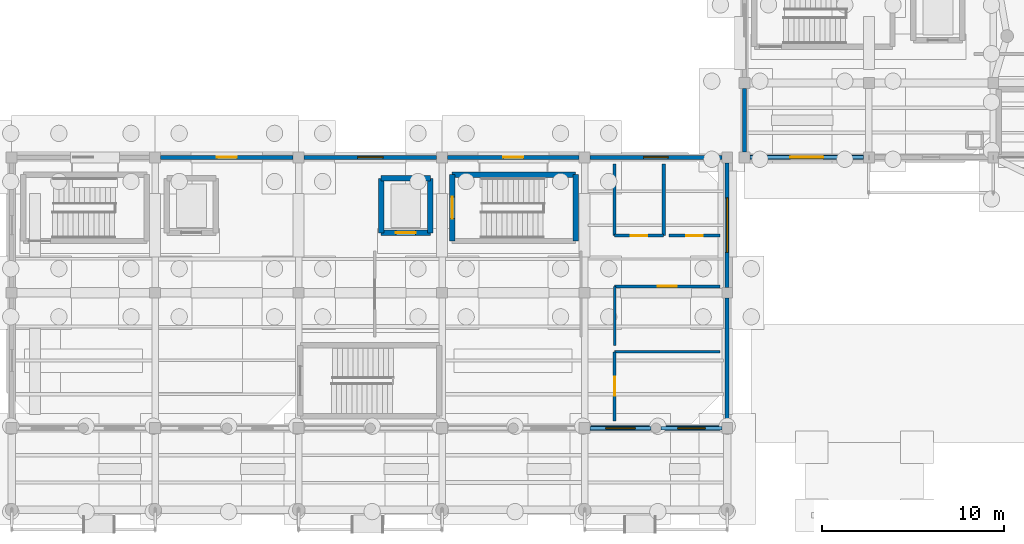
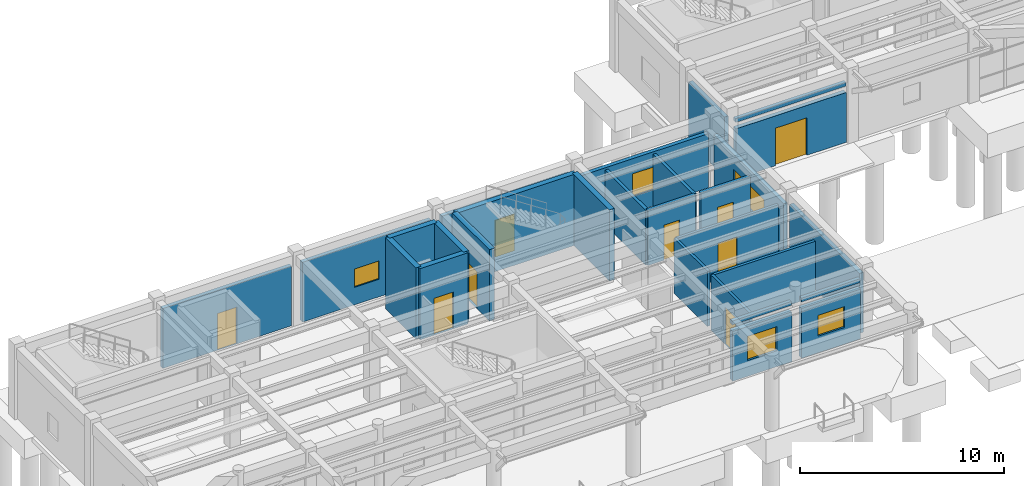
# One storey, part 28 of 41: 28 walls, 9 doors, 5 windows, 14 openings.
"""IFC4 building model written with IfcOpenShell, lengths in metres."""

from ifc_helpers import new_model, si_unit, direction, frame, frame_2d, origin, place, context, subcontext, project, spatial, rectangle, extrude, material, layer, layer_set, type_object, element, fill, save


model = new_model("IFC4")

# Units and contexts
model_context = context("Model", 3, precision=1e-05, world=origin(), true_north=direction((0.0, 1.0)))
body_context = subcontext(model_context, "Body", "Model", "MODEL_VIEW")
ifc_project = project(units=[si_unit("LENGTHUNIT", "METRE"), si_unit("AREAUNIT", "SQUARE_METRE"), si_unit("VOLUMEUNIT", "CUBIC_METRE"), si_unit("PLANEANGLEUNIT", "RADIAN"), si_unit("MASSUNIT", "GRAM", prefix="KILO")], contexts=[model_context])

# Site, building, storey
site_placement = place(None, origin())
site = spatial("IfcSite", under=ifc_project, at=site_placement, CompositionType="ELEMENT")
building_placement = place(site_placement, origin())
building = spatial("IfcBuilding", under=site, at=building_placement, Name="Candilejo Ridge Gondola Terminal", CompositionType="ELEMENT")
storey_placement = place(building_placement, origin())
storey = spatial("IfcBuildingStorey", under=building, at=storey_placement, Name="L00", CompositionType="ELEMENT", Elevation=0.0)

# Walls
ifc_material_1 = material(Name="Concrete C20/25 masonry blockwork (f'm 14 MPa)", Category="masonry")
ifc_layer_1 = layer(ifc_material_1, 0.195068359375)
ifc_layer_set_1 = layer_set([ifc_layer_1], Name="ARC-EXT-WALL-195")
wall_type_1 = type_object("IfcWallType", Name="ARC-EXT-WALL-195", PredefinedType="STANDARD", material=ifc_layer_set_1)
wall_1_placement = place(storey_placement, frame((39.5, 10.800048828125, 3.35009765625), z_axis=(0.0, 0.0, 1.0), x_axis=(-1.0, 0.0, 0.0)))
element("IfcWall", 1, at=wall_1_placement, inside=storey, type_object=wall_type_1, Name="Upper lintel spandrel wall V1 L00-023", PredefinedType="STANDARD", context=body_context, shape_type="SweptSolid", body=[
    extrude(rectangle(XDim=3.35009765625, YDim=0.195068359375, at=frame_2d((1.675048828125, 0.0))), origin(), (0.0, 0.0, 1.0), 0.22998046875),
])
wall_2_placement = place(storey_placement, frame((43.39990234375, 10.800048828125, 3.35009765625), z_axis=(0.0, 0.0, 1.0), x_axis=(-1.0, 0.0, 0.0)))
element("IfcWall", 2, at=wall_2_placement, inside=storey, type_object=wall_type_1, Name="Upper lintel spandrel wall V1 L00-025", PredefinedType="STANDARD", context=body_context, shape_type="SweptSolid", body=[
    extrude(rectangle(XDim=3.33984375, YDim=0.195068359375, at=frame_2d((1.669921875, 0.0))), origin(), (0.0, 0.0, 1.0), 0.22998046875),
])
wall_3_placement = place(storey_placement, frame((51.199951171875, 25.699951171875, 3.35009765625), z_axis=(0.0, 0.0, 1.0), x_axis=(-1.0, 0.0, 0.0)))
element("IfcWall", 3, at=wall_3_placement, inside=storey, type_object=wall_type_1, Name="Upper lintel spandrel wall V2 L00-032", PredefinedType="STANDARD", context=body_context, shape_type="SweptSolid", body=[
    extrude(rectangle(XDim=6.25, YDim=0.195068359375, at=frame_2d((3.125, 0.0))), origin(), (0.0, 0.0, 1.0), 0.22998046875),
])

# Wall, opening, door
ifc_material_2 = material(Name="Concrete C20/25 masonry blockwork (f'm 14 MPa)", Category="masonry")
ifc_layer_2 = layer(ifc_material_2, 0.219970703125)
ifc_layer_set_2 = layer_set([ifc_layer_2], Name="ARC-EXT-WALL-220")
wall_type_2 = type_object("IfcWallType", Name="ARC-EXT-WALL-220", PredefinedType="STANDARD", material=ifc_layer_set_2)
wall_4_placement = place(storey_placement, frame((12.5, 25.699951171875, 0.0), z_axis=(0.0, 0.0, 1.0), x_axis=(1.0, 0.0, 0.0)))
wall_4 = element("IfcWall", 4, at=wall_4_placement, inside=storey, type_object=wall_type_2, Name="Exterior facade wall EW-V1-L00-011", PredefinedType="STANDARD", context=body_context, shape_type="SweptSolid", body=[
    extrude(rectangle(XDim=7.300048828125, YDim=0.219970703125, at=frame_2d((3.64990234375, 0.0))), origin(), (0.0, 0.0, 1.0), 3.580078125),
])
opening_1_placement = place(wall_4_placement, frame((3.10009765625, 0.0, 0.0)))
opening_1 = element("IfcOpeningElement", 5, at=opening_1_placement, cuts=wall_4, Name="Opening ED-03", PredefinedType="OPENING", context=body_context, shape_type="SweptSolid", body=[
    extrude(rectangle(XDim=1.10009765625, YDim=2.199951171875, at=frame_2d((0.550048828125, 1.10009765625))), frame((0.0, 0.119873046875, 0.0), z_axis=(0.0, -1.0, 0.0), x_axis=(1.0, 0.0, 0.0)), (0.0, 0.0, 1.0), 0.239990234375),
])
ifc_material_3 = material(Name="Anodised aluminium AA 6063-T6", Category="aluminium")
door_type_1 = type_object("IfcDoorType", Name="ARC-DOOR-EXT-SGL-1100", OperationType="NOTDEFINED", PredefinedType="DOOR", material=ifc_material_3)
door_1_placement = place(opening_1_placement, origin())
door_1 = element("IfcDoor", 6, at=door_1_placement, inside=storey, type_object=door_type_1, Name="Exterior door EDR-002", OperationType="SINGLE_SWING_RIGHT", OverallHeight=2.199951171875, OverallWidth=1.10009765625, PredefinedType="DOOR", context=body_context, shape_type="SweptSolid", body=[
    extrude(rectangle(XDim=1.10009765625, YDim=2.199951171875, at=frame_2d((0.550048828125, 1.10009765625))), frame((0.0, 0.02490234375, 0.0), z_axis=(0.0, -1.0, 0.0), x_axis=(1.0, 0.0, 0.0)), (0.0, 0.0, 1.0), 0.050048828125),
])
fill(opening_1, door_1)

# Wall, opening, window
wall_5_placement = place(storey_placement, frame((20.39990234375, 25.699951171875, 0.0), z_axis=(0.0, 0.0, 1.0), x_axis=(1.0, 0.0, 0.0)))
wall_5 = element("IfcWall", 7, at=wall_5_placement, inside=storey, type_object=wall_type_2, Name="Exterior facade wall EW-V1-L00-016", PredefinedType="STANDARD", context=body_context, shape_type="SweptSolid", body=[
    extrude(rectangle(XDim=7.300048828125, YDim=0.219970703125, at=frame_2d((3.64990234375, 0.0))), origin(), (0.0, 0.0, 1.0), 3.580078125),
])
opening_2_placement = place(wall_5_placement, frame((2.949951171875, 0.0, 1.050048828125)))
opening_2 = element("IfcOpeningElement", 8, at=opening_2_placement, cuts=wall_5, Name="Opening WN-05E", PredefinedType="OPENING", context=body_context, shape_type="SweptSolid", body=[
    extrude(rectangle(XDim=1.39990234375, YDim=1.10009765625, at=frame_2d((0.699951171875, 0.550048828125))), frame((0.0, 0.119873046875, 0.0), z_axis=(0.0, -1.0, 0.0), x_axis=(1.0, 0.0, 0.0)), (0.0, 0.0, 1.0), 0.239990234375),
])
ifc_material_4 = material(Name="Low-E laminated double glazing 6+12A+6+1.52PVB+6 mm", Category="glass")
window_type_1 = type_object("IfcWindowType", Name="ARC-WIN-1400X1100", PartitioningType="SINGLE_PANEL", PredefinedType="WINDOW", material=ifc_material_4)
window_1_placement = place(opening_2_placement, origin())
window_1 = element("IfcWindow", 9, at=window_1_placement, inside=storey, type_object=window_type_1, Name="Window WIN-005", OverallHeight=1.10009765625, OverallWidth=1.39990234375, PartitioningType="SINGLE_PANEL", PredefinedType="WINDOW", context=body_context, shape_type="SweptSolid", body=[
    extrude(rectangle(XDim=1.39990234375, YDim=1.10009765625, at=frame_2d((0.699951171875, 0.550048828125))), frame((0.0, 0.030029296875, 0.0), z_axis=(0.0, -1.0, 0.0), x_axis=(1.0, 0.0, 0.0)), (0.0, 0.0, 1.0), 0.06005859375),
])
fill(opening_2, window_1)

# Wall, opening, door
wall_6_placement = place(storey_placement, frame((28.300048828125, 25.699951171875, 0.0), z_axis=(0.0, 0.0, 1.0), x_axis=(1.0, 0.0, 0.0)))
wall_6 = element("IfcWall", 10, at=wall_6_placement, inside=storey, type_object=wall_type_2, Name="Exterior facade wall EW-V1-L00-021", PredefinedType="STANDARD", context=body_context, shape_type="SweptSolid", body=[
    extrude(rectangle(XDim=7.25, YDim=0.219970703125, at=frame_2d((3.625, 0.0))), origin(), (0.0, 0.0, 1.0), 3.580078125),
])
opening_3_placement = place(wall_6_placement, frame((3.074951171875, 0.0, 0.0)))
opening_3 = element("IfcOpeningElement", 11, at=opening_3_placement, cuts=wall_6, Name="Opening ED-03", PredefinedType="OPENING", context=body_context, shape_type="SweptSolid", body=[
    extrude(rectangle(XDim=1.10009765625, YDim=2.199951171875, at=frame_2d((0.550048828125, 1.10009765625))), frame((0.0, 0.119873046875, 0.0), z_axis=(0.0, -1.0, 0.0), x_axis=(1.0, 0.0, 0.0)), (0.0, 0.0, 1.0), 0.239990234375),
])
door_2_placement = place(opening_3_placement, origin())
door_2 = element("IfcDoor", 12, at=door_2_placement, inside=storey, type_object=door_type_1, Name="Exterior door EDR-003", OperationType="SINGLE_SWING_LEFT", OverallHeight=2.199951171875, OverallWidth=1.10009765625, PredefinedType="DOOR", context=body_context, shape_type="SweptSolid", body=[
    extrude(rectangle(XDim=1.10009765625, YDim=2.199951171875, at=frame_2d((0.550048828125, 1.10009765625))), frame((0.0, 0.02490234375, 0.0), z_axis=(0.0, -1.0, 0.0), x_axis=(1.0, 0.0, 0.0)), (0.0, 0.0, 1.0), 0.050048828125),
])
fill(opening_3, door_2)

# Wall, opening, window
wall_7_placement = place(storey_placement, frame((36.14990234375, 25.699951171875, 0.0), z_axis=(0.0, 0.0, 1.0), x_axis=(1.0, 0.0, 0.0)))
wall_7 = element("IfcWall", 13, at=wall_7_placement, inside=storey, type_object=wall_type_2, Name="Exterior facade wall EW-V1-L00-026", PredefinedType="STANDARD", context=body_context, shape_type="SweptSolid", body=[
    extrude(rectangle(XDim=7.25, YDim=0.219970703125, at=frame_2d((3.625, 0.0))), origin(), (0.0, 0.0, 1.0), 3.239990234375),
])
opening_4_placement = place(wall_7_placement, frame((2.949951171875, 0.0, 0.97998046875)))
opening_4 = element("IfcOpeningElement", 14, at=opening_4_placement, cuts=wall_7, Name="Opening WN-03C", PredefinedType="OPENING", context=body_context, shape_type="SweptSolid", body=[
    extrude(rectangle(XDim=1.35009765625, YDim=1.35009765625, at=frame_2d((0.675048828125, 0.675048828125))), frame((0.0, 0.119873046875, 0.0), z_axis=(0.0, -1.0, 0.0), x_axis=(1.0, 0.0, 0.0)), (0.0, 0.0, 1.0), 0.239990234375),
])
ifc_material_5 = material(Name="Low-E laminated double glazing 6+12A+6+1.52PVB+6 mm", Category="glass")
window_type_2 = type_object("IfcWindowType", Name="ARC-WIN-1350X1350", PartitioningType="SINGLE_PANEL", PredefinedType="WINDOW", material=ifc_material_5)
window_2_placement = place(opening_4_placement, origin())
window_2 = element("IfcWindow", 15, at=window_2_placement, inside=storey, type_object=window_type_2, Name="Window WIN-009", OverallHeight=1.35009765625, OverallWidth=1.35009765625, PartitioningType="SINGLE_PANEL", PredefinedType="WINDOW", context=body_context, shape_type="SweptSolid", body=[
    extrude(rectangle(XDim=1.35009765625, YDim=1.35009765625, at=frame_2d((0.675048828125, 0.675048828125))), frame((0.0, 0.030029296875, 0.0), z_axis=(0.0, -1.0, 0.0), x_axis=(1.0, 0.0, 0.0)), (0.0, 0.0, 1.0), 0.06005859375),
])
fill(opening_4, window_2)

# Wall
wall_8_placement = place(storey_placement, frame((43.699951171875, 17.949951171875, 0.0), z_axis=(0.0, 0.0, 1.0), x_axis=(0.0, -1.0, 0.0)))
element("IfcWall", 16, at=wall_8_placement, inside=storey, type_object=wall_type_2, Name="Exterior facade wall EW-V1-L00-028", PredefinedType="STANDARD", context=body_context, shape_type="SweptSolid", body=[
    extrude(rectangle(XDim=6.849853515625, YDim=0.219970703125, at=frame_2d((3.4248046875, 0.0))), origin(), (0.0, 0.0, 1.0), 3.580078125),
])

# Wall, opening, window
wall_9_placement = place(storey_placement, frame((43.699951171875, 25.39990234375, 0.0), z_axis=(0.0, 0.0, 1.0), x_axis=(0.0, -1.0, 0.0)))
wall_9 = element("IfcWall", 17, at=wall_9_placement, inside=storey, type_object=wall_type_2, Name="Exterior facade wall EW-V1-L00-030", PredefinedType="STANDARD", context=body_context, shape_type="SweptSolid", body=[
    extrude(rectangle(XDim=6.849853515625, YDim=0.219970703125, at=frame_2d((3.4248046875, 0.0))), origin(), (0.0, 0.0, 1.0), 3.239990234375),
])
opening_5_placement = place(wall_9_placement, frame((1.925048828125, 0.0, 0.8798828125)))
opening_5 = element("IfcOpeningElement", 18, at=opening_5_placement, cuts=wall_9, Name="Opening WN-05", PredefinedType="OPENING", context=body_context, shape_type="SweptSolid", body=[
    extrude(rectangle(XDim=3.0, YDim=1.449951171875, at=frame_2d((1.5, 0.72509765625))), frame((0.0, 0.119873046875, 0.0), z_axis=(0.0, -1.0, 0.0), x_axis=(1.0, 0.0, 0.0)), (0.0, 0.0, 1.0), 0.239990234375),
])
ifc_material_6 = material(Name="Low-E laminated double glazing 6+12A+6+1.52PVB+6 mm", Category="glass")
window_type_3 = type_object("IfcWindowType", Name="ARC-WIN-3000X1650", PartitioningType="SINGLE_PANEL", PredefinedType="WINDOW", material=ifc_material_6)
window_3_placement = place(opening_5_placement, origin())
window_3 = element("IfcWindow", 19, at=window_3_placement, inside=storey, type_object=window_type_3, Name="Window WIN-012", OverallHeight=1.449951171875, OverallWidth=3.0, PartitioningType="SINGLE_PANEL", PredefinedType="WINDOW", context=body_context, shape_type="SweptSolid", body=[
    extrude(rectangle(XDim=3.0, YDim=1.449951171875, at=frame_2d((1.5, 0.72509765625))), frame((0.0, 0.030029296875, 0.0), z_axis=(0.0, -1.0, 0.0), x_axis=(1.0, 0.0, 0.0)), (0.0, 0.0, 1.0), 0.06005859375),
])
fill(opening_5, window_3)

# Wall
wall_10_placement = place(storey_placement, frame((44.64990234375, 26.0, 0.0), z_axis=(0.0, 0.0, 1.0), x_axis=(0.0, 1.0, 0.0)))
element("IfcWall", 20, at=wall_10_placement, inside=storey, type_object=wall_type_2, Name="Exterior facade wall EW-V2-L00-037", PredefinedType="STANDARD", context=body_context, shape_type="SweptSolid", body=[
    extrude(rectangle(XDim=3.5, YDim=0.219970703125, at=frame_2d((1.75, 0.0))), origin(), (0.0, 0.0, 1.0), 3.580078125),
])

# Wall, opening, door
ifc_material_7 = material(Name="Cream Guayaquil limestone ashlar masonry (f'm 14 MPa)", Category="masonry")
ifc_layer_3 = layer(ifc_material_7, 0.25)
ifc_layer_set_3 = layer_set([ifc_layer_3], Name="ARC-EXT-WALL-250")
wall_type_3 = type_object("IfcWallType", Name="ARC-EXT-WALL-250", PredefinedType="STANDARD", material=ifc_layer_set_3)
wall_11_placement = place(storey_placement, frame((51.199951171875, 25.699951171875, 0.0), z_axis=(0.0, 0.0, 1.0), x_axis=(-1.0, 0.0, 0.0)))
wall_11 = element("IfcWall", 21, at=wall_11_placement, inside=storey, type_object=wall_type_3, Name="Exterior facade wall EW-V2-L00-031", PredefinedType="STANDARD", context=body_context, shape_type="SweptSolid", body=[
    extrude(rectangle(XDim=6.25, YDim=0.25, at=frame_2d((3.125, 0.0))), origin(), (0.0, 0.0, 1.0), 2.985107421875),
])
opening_6_placement = place(wall_11_placement, frame((2.22509765625, 0.0, 0.0)))
opening_6 = element("IfcOpeningElement", 22, at=opening_6_placement, cuts=wall_11, Name="Opening ED-02", PredefinedType="OPENING", context=body_context, shape_type="SweptSolid", body=[
    extrude(rectangle(XDim=1.800048828125, YDim=2.25, at=frame_2d((0.89990234375, 1.125))), frame((0.0, 0.135009765625, 0.0), z_axis=(0.0, -1.0, 0.0), x_axis=(1.0, 0.0, 0.0)), (0.0, 0.0, 1.0), 0.27001953125),
])
ifc_material_8 = material(Name="Anodised aluminium AA 6063-T6", Category="aluminium")
door_type_2 = type_object("IfcDoorType", Name="ARC-DOOR-EXT-DBL-1800", OperationType="NOTDEFINED", PredefinedType="DOOR", material=ifc_material_8)
door_3_placement = place(opening_6_placement, origin())
door_3 = element("IfcDoor", 23, at=door_3_placement, inside=storey, type_object=door_type_2, Name="Exterior door EDR-004", OperationType="DOUBLE_DOOR_SINGLE_SWING", OverallHeight=2.25, OverallWidth=1.800048828125, PredefinedType="DOOR", context=body_context, shape_type="SweptSolid", body=[
    extrude(rectangle(XDim=1.800048828125, YDim=2.25, at=frame_2d((0.89990234375, 1.125))), frame((0.0, 0.02490234375, 0.0), z_axis=(0.0, -1.0, 0.0), x_axis=(1.0, 0.0, 0.0)), (0.0, 0.0, 1.0), 0.050048828125),
])
fill(opening_6, door_3)

# Wall, opening, window
ifc_material_9 = material(Name="Cream Guayaquil limestone ashlar masonry (f'm 14 MPa)", Category="masonry")
ifc_layer_4 = layer(ifc_material_9, 0.264892578125)
ifc_layer_set_4 = layer_set([ifc_layer_4], Name="ARC-EXT-WALL-265")
wall_type_4 = type_object("IfcWallType", Name="ARC-EXT-WALL-265", PredefinedType="STANDARD", material=ifc_layer_set_4)
wall_12_placement = place(storey_placement, frame((43.39990234375, 10.800048828125, 0.0), z_axis=(0.0, 0.0, 1.0), x_axis=(-1.0, 0.0, 0.0)))
wall_12 = element("IfcWall", 24, at=wall_12_placement, inside=storey, type_object=wall_type_4, Name="Exterior facade wall EW-V1-L00-024", PredefinedType="STANDARD", context=body_context, shape_type="SweptSolid", body=[
    extrude(rectangle(XDim=3.33984375, YDim=0.264892578125, at=frame_2d((1.669921875, 0.0))), origin(), (0.0, 0.0, 1.0), 2.985107421875),
])
opening_7_placement = place(wall_12_placement, frame((0.919921875, 0.0, 1.0)))
opening_7 = element("IfcOpeningElement", 25, at=opening_7_placement, cuts=wall_12, Name="Opening WN-03B", PredefinedType="OPENING", context=body_context, shape_type="SweptSolid", body=[
    extrude(rectangle(XDim=1.5, YDim=1.25, at=frame_2d((0.75, 0.625))), frame((0.0, 0.142333984375, 0.0), z_axis=(0.0, -1.0, 0.0), x_axis=(1.0, 0.0, 0.0)), (0.0, 0.0, 1.0), 0.284912109375),
])
ifc_material_10 = material(Name="Low-E laminated double glazing 6+12A+6+1.52PVB+6 mm", Category="glass")
window_type_4 = type_object("IfcWindowType", Name="ARC-WIN-1500X1250", PartitioningType="SINGLE_PANEL", PredefinedType="WINDOW", material=ifc_material_10)
window_4_placement = place(opening_7_placement, origin())
window_4 = element("IfcWindow", 26, at=window_4_placement, inside=storey, type_object=window_type_4, Name="Window WIN-008", OverallHeight=1.25, OverallWidth=1.5, PartitioningType="SINGLE_PANEL", PredefinedType="WINDOW", context=body_context, shape_type="SweptSolid", body=[
    extrude(rectangle(XDim=1.5, YDim=1.25, at=frame_2d((0.75, 0.625))), frame((0.0, 0.030029296875, 0.0), z_axis=(0.0, -1.0, 0.0), x_axis=(1.0, 0.0, 0.0)), (0.0, 0.0, 1.0), 0.06005859375),
])
fill(opening_7, window_4)

ifc_material_11 = material(Name="Cream Guayaquil limestone ashlar masonry (f'm 14 MPa)", Category="masonry")
ifc_layer_5 = layer(ifc_material_11, 0.280029296875)
ifc_layer_set_5 = layer_set([ifc_layer_5], Name="ARC-EXT-WALL-280")
wall_type_5 = type_object("IfcWallType", Name="ARC-EXT-WALL-280", PredefinedType="STANDARD", material=ifc_layer_set_5)
wall_13_placement = place(storey_placement, frame((39.5, 10.800048828125, 0.0), z_axis=(0.0, 0.0, 1.0), x_axis=(-1.0, 0.0, 0.0)))
wall_13 = element("IfcWall", 27, at=wall_13_placement, inside=storey, type_object=wall_type_5, Name="Exterior facade wall EW-V1-L00-022", PredefinedType="STANDARD", context=body_context, shape_type="SweptSolid", body=[
    extrude(rectangle(XDim=3.35009765625, YDim=0.280029296875, at=frame_2d((1.675048828125, 0.0))), origin(), (0.0, 0.0, 1.0), 2.985107421875),
])
opening_8_placement = place(wall_13_placement, frame((0.85009765625, 0.0, 0.949951171875)))
opening_8 = element("IfcOpeningElement", 28, at=opening_8_placement, cuts=wall_13, Name="Opening WN-02C", PredefinedType="OPENING", context=body_context, shape_type="SweptSolid", body=[
    extrude(rectangle(XDim=1.64990234375, YDim=1.449951171875, at=frame_2d((0.824951171875, 0.72509765625))), frame((0.0, 0.14990234375, 0.0), z_axis=(0.0, -1.0, 0.0), x_axis=(1.0, 0.0, 0.0)), (0.0, 0.0, 1.0), 0.300048828125),
])
ifc_material_12 = material(Name="Low-E laminated double glazing 6+12A+6+1.52PVB+6 mm", Category="glass")
window_type_5 = type_object("IfcWindowType", Name="ARC-WIN-1650X1450", PartitioningType="SINGLE_PANEL", PredefinedType="WINDOW", material=ifc_material_12)
window_5_placement = place(opening_8_placement, origin())
window_5 = element("IfcWindow", 29, at=window_5_placement, inside=storey, type_object=window_type_5, Name="Window WIN-007", OverallHeight=1.449951171875, OverallWidth=1.64990234375, PartitioningType="SINGLE_PANEL", PredefinedType="WINDOW", context=body_context, shape_type="SweptSolid", body=[
    extrude(rectangle(XDim=1.64990234375, YDim=1.449951171875, at=frame_2d((0.824951171875, 0.72509765625))), frame((0.0, 0.030029296875, 0.0), z_axis=(0.0, -1.0, 0.0), x_axis=(1.0, 0.0, 0.0)), (0.0, 0.0, 1.0), 0.06005859375),
])
fill(opening_8, window_5)

# Wall, opening, door
ifc_material_13 = material(Name="Gypsum board Type X acoustic partition (2x15.9 mm)", Category="gypsum")
ifc_layer_6 = layer(ifc_material_13, 0.14990234375)
ifc_layer_set_6 = layer_set([ifc_layer_6], Name="ARC-PART-GYP150-EI60")
wall_type_6 = type_object("IfcWallType", Name="ARC-PART-GYP150-EI60", PredefinedType="PARTITIONING", material=ifc_layer_set_6)
wall_14_placement = place(storey_placement, frame((37.5, 18.60009765625, 0.0), z_axis=(0.0, 0.0, 1.0), x_axis=(1.0, 0.0, 0.0)))
wall_14 = element("IfcWall", 30, at=wall_14_placement, inside=storey, type_object=wall_type_6, Name="Interior partition PT-V1-L00-0005", PredefinedType="PARTITIONING", context=body_context, shape_type="SweptSolid", body=[
    extrude(rectangle(XDim=5.800048828125, YDim=0.14990234375, at=frame_2d((2.89990234375, 0.0))), origin(), (0.0, 0.0, 1.0), 3.300048828125),
])
opening_9_placement = place(wall_14_placement, frame((2.375, 0.0, 0.0)))
opening_9 = element("IfcOpeningElement", 31, at=opening_9_placement, cuts=wall_14, Name="Opening ID-01A", PredefinedType="OPENING", context=body_context, shape_type="SweptSolid", body=[
    extrude(rectangle(XDim=1.050048828125, YDim=2.199951171875, at=frame_2d((0.52490234375, 1.10009765625))), frame((0.0, 0.0849609375, 0.0), z_axis=(0.0, -1.0, 0.0), x_axis=(1.0, 0.0, 0.0)), (0.0, 0.0, 1.0), 0.169921875),
])
ifc_material_14 = material(Name="Solid-core fire-rated hardwood door leaf", Category="wood")
door_type_3 = type_object("IfcDoorType", Name="ARC-DOOR-INT-1050", OperationType="NOTDEFINED", PredefinedType="DOOR", material=ifc_material_14)
door_4_placement = place(opening_9_placement, origin())
door_4 = element("IfcDoor", 32, at=door_4_placement, inside=storey, type_object=door_type_3, Name="Interior door IDR-0003 (006)", OperationType="SINGLE_SWING_LEFT", OverallHeight=2.199951171875, OverallWidth=1.050048828125, PredefinedType="DOOR", context=body_context, shape_type="SweptSolid", body=[
    extrude(rectangle(XDim=1.050048828125, YDim=2.199951171875, at=frame_2d((0.52490234375, 1.10009765625))), frame((0.0, 0.02490234375, 0.0), z_axis=(0.0, -1.0, 0.0), x_axis=(1.0, 0.0, 0.0)), (0.0, 0.0, 1.0), 0.050048828125),
])
fill(opening_9, door_4)

# Walls
wall_15_placement = place(storey_placement, frame((37.5, 15.35009765625, 0.0), z_axis=(0.0, 0.0, 1.0), x_axis=(0.0, 1.0, 0.0)))
element("IfcWall", 33, at=wall_15_placement, inside=storey, type_object=wall_type_6, Name="Interior partition PT-V1-L00-0006", PredefinedType="PARTITIONING", context=body_context, shape_type="SweptSolid", body=[
    extrude(rectangle(XDim=3.25, YDim=0.14990234375, at=frame_2d((1.625, 0.0))), origin(), (0.0, 0.0, 1.0), 3.300048828125),
])
ifc_material_15 = material(Name="Gypsum board Type X acoustic partition (2x15.9 mm)", Category="gypsum")
ifc_layer_7 = layer(ifc_material_15, 0.159912109375)
ifc_layer_set_7 = layer_set([ifc_layer_7], Name="ARC-PART-GYP160-EI90")
wall_type_7 = type_object("IfcWallType", Name="ARC-PART-GYP160-EI90", PredefinedType="PARTITIONING", material=ifc_layer_set_7)
wall_16_placement = place(storey_placement, frame((37.5, 15.0, 0.0), z_axis=(0.0, 0.0, 1.0), x_axis=(1.0, 0.0, 0.0)))
element("IfcWall", 34, at=wall_16_placement, inside=storey, type_object=wall_type_7, Name="Interior partition PT-V1-L00-0003", PredefinedType="PARTITIONING", context=body_context, shape_type="SweptSolid", body=[
    extrude(rectangle(XDim=5.800048828125, YDim=0.159912109375, at=frame_2d((2.89990234375, 0.0))), origin(), (0.0, 0.0, 1.0), 3.300048828125),
])

# Wall, opening, door
wall_17_placement = place(storey_placement, frame((37.5, 11.199951171875, 0.0), z_axis=(0.0, 0.0, 1.0), x_axis=(0.0, 1.0, 0.0)))
wall_17 = element("IfcWall", 35, at=wall_17_placement, inside=storey, type_object=wall_type_7, Name="Interior partition PT-V1-L00-0004", PredefinedType="PARTITIONING", context=body_context, shape_type="SweptSolid", body=[
    extrude(rectangle(XDim=3.800048828125, YDim=0.159912109375, at=frame_2d((1.89990234375, 0.0))), origin(), (0.0, 0.0, 1.0), 3.300048828125),
])
opening_10_placement = place(wall_17_placement, frame((1.375, 0.0, 0.0)))
opening_10 = element("IfcOpeningElement", 36, at=opening_10_placement, cuts=wall_17, Name="Opening ID-01A", PredefinedType="OPENING", context=body_context, shape_type="SweptSolid", body=[
    extrude(rectangle(XDim=1.050048828125, YDim=2.199951171875, at=frame_2d((0.52490234375, 1.10009765625))), frame((0.0, 0.08984375, 0.0), z_axis=(0.0, -1.0, 0.0), x_axis=(1.0, 0.0, 0.0)), (0.0, 0.0, 1.0), 0.179931640625),
])
door_5_placement = place(opening_10_placement, origin())
door_5 = element("IfcDoor", 37, at=door_5_placement, inside=storey, type_object=door_type_3, Name="Interior door IDR-0002 (005)", OperationType="SINGLE_SWING_RIGHT", OverallHeight=2.199951171875, OverallWidth=1.050048828125, PredefinedType="DOOR", context=body_context, shape_type="SweptSolid", body=[
    extrude(rectangle(XDim=1.050048828125, YDim=2.199951171875, at=frame_2d((0.52490234375, 1.10009765625))), frame((0.0, 0.02490234375, 0.0), z_axis=(0.0, -1.0, 0.0), x_axis=(1.0, 0.0, 0.0)), (0.0, 0.0, 1.0), 0.050048828125),
])
fill(opening_10, door_5)

ifc_material_16 = material(Name="Concrete C20/25 masonry blockwork (f'm 14 MPa)", Category="masonry")
ifc_layer_8 = layer(ifc_material_16, 0.179931640625)
ifc_layer_set_8 = layer_set([ifc_layer_8], Name="ARC-WALL-PLUMBING-180")
wall_type_8 = type_object("IfcWallType", Name="ARC-WALL-PLUMBING-180", PredefinedType="PLUMBINGWALL", material=ifc_layer_set_8)
wall_18_placement = place(storey_placement, frame((37.5, 21.39990234375, 0.0), z_axis=(0.0, 0.0, 1.0), x_axis=(1.0, 0.0, 0.0)))
wall_18 = element("IfcWall", 38, at=wall_18_placement, inside=storey, type_object=wall_type_8, Name="Interior partition PT-V1-L00-0007", PredefinedType="PLUMBINGWALL", context=body_context, shape_type="SweptSolid", body=[
    extrude(rectangle(XDim=2.699951171875, YDim=0.179931640625, at=frame_2d((1.35009765625, 0.0))), origin(), (0.0, 0.0, 1.0), 3.300048828125),
])
opening_11_placement = place(wall_18_placement, frame((0.89990234375, 0.0, 0.0)))
opening_11 = element("IfcOpeningElement", 39, at=opening_11_placement, cuts=wall_18, Name="Opening ID-04", PredefinedType="OPENING", context=body_context, shape_type="SweptSolid", body=[
    extrude(rectangle(XDim=0.89990234375, YDim=2.10009765625, at=frame_2d((0.449951171875, 1.050048828125))), frame((0.0, 0.099853515625, 0.0), z_axis=(0.0, -1.0, 0.0), x_axis=(1.0, 0.0, 0.0)), (0.0, 0.0, 1.0), 0.199951171875),
])
ifc_material_17 = material(Name="Solid-core fire-rated hardwood door leaf", Category="wood")
door_type_4 = type_object("IfcDoorType", Name="ARC-DOOR-WC-0900", OperationType="NOTDEFINED", PredefinedType="DOOR", material=ifc_material_17)
door_6_placement = place(opening_11_placement, origin())
door_6 = element("IfcDoor", 40, at=door_6_placement, inside=storey, type_object=door_type_4, Name="Interior door IDR-0004 (007)", OperationType="SINGLE_SWING_RIGHT", OverallHeight=2.10009765625, OverallWidth=0.89990234375, PredefinedType="DOOR", context=body_context, shape_type="SweptSolid", body=[
    extrude(rectangle(XDim=0.89990234375, YDim=2.10009765625, at=frame_2d((0.449951171875, 1.050048828125))), frame((0.0, 0.02490234375, 0.0), z_axis=(0.0, -1.0, 0.0), x_axis=(1.0, 0.0, 0.0)), (0.0, 0.0, 1.0), 0.050048828125),
])
fill(opening_11, door_6)

# Walls
for number, where, z_axis, x_axis, name in (
    (41, (37.5, 21.39990234375, 0.0), (0.0, 0.0, 1.0), (0.0, 1.0, 0.0), "Interior partition PT-V1-L00-0008"),
    (42, (40.199951171875, 21.39990234375, 0.0), (0.0, 0.0, 1.0), (0.0, 1.0, 0.0), "Interior partition PT-V1-L00-0009"),
):
    element("IfcWall", number, at=place(storey_placement, frame(where, z_axis=z_axis, x_axis=x_axis)), inside=storey, type_object=wall_type_8, Name=name, PredefinedType="PLUMBINGWALL", context=body_context, shape_type="SweptSolid", body=[
        extrude(rectangle(XDim=3.9501953125, YDim=0.179931640625, at=frame_2d((1.97509765625, 0.0))), origin(), (0.0, 0.0, 1.0), 3.300048828125),
    ])

# Wall, opening, door
wall_19_placement = place(storey_placement, frame((40.5, 21.39990234375, 0.0), z_axis=(0.0, 0.0, 1.0), x_axis=(1.0, 0.0, 0.0)))
wall_19 = element("IfcWall", 43, at=wall_19_placement, inside=storey, type_object=wall_type_8, Name="Interior partition PT-V1-L00-0010", PredefinedType="PLUMBINGWALL", context=body_context, shape_type="SweptSolid", body=[
    extrude(rectangle(XDim=2.800048828125, YDim=0.179931640625, at=frame_2d((1.39990234375, 0.0))), origin(), (0.0, 0.0, 1.0), 3.300048828125),
])
opening_12_placement = place(wall_19_placement, frame((0.93994140625, 0.0, 0.0)))
opening_12 = element("IfcOpeningElement", 44, at=opening_12_placement, cuts=wall_19, Name="Opening ID-04A", PredefinedType="OPENING", context=body_context, shape_type="SweptSolid", body=[
    extrude(rectangle(XDim=0.919921875, YDim=2.10009765625, at=frame_2d((0.4599609375, 1.050048828125))), frame((0.0, 0.099853515625, 0.0), z_axis=(0.0, -1.0, 0.0), x_axis=(1.0, 0.0, 0.0)), (0.0, 0.0, 1.0), 0.199951171875),
])
ifc_material_18 = material(Name="Solid-core fire-rated hardwood door leaf", Category="wood")
door_type_5 = type_object("IfcDoorType", Name="ARC-DOOR-WC-0920", OperationType="NOTDEFINED", PredefinedType="DOOR", material=ifc_material_18)
door_7_placement = place(opening_12_placement, origin())
door_7 = element("IfcDoor", 45, at=door_7_placement, inside=storey, type_object=door_type_5, Name="Interior door IDR-0005 (008)", OperationType="SINGLE_SWING_LEFT", OverallHeight=2.10009765625, OverallWidth=0.919921875, PredefinedType="DOOR", context=body_context, shape_type="SweptSolid", body=[
    extrude(rectangle(XDim=0.919921875, YDim=2.10009765625, at=frame_2d((0.4599609375, 1.050048828125))), frame((0.0, 0.02490234375, 0.0), z_axis=(0.0, -1.0, 0.0), x_axis=(1.0, 0.0, 0.0)), (0.0, 0.0, 1.0), 0.050048828125),
])
fill(opening_12, door_7)

# Wall
ifc_material_19 = material(Name="Concrete f'c 35 MPa (C35/45)", Category="concrete")
ifc_layer_9 = layer(ifc_material_19, 0.300048828125)
ifc_layer_set_9 = layer_set([ifc_layer_9], Name="STR-CORE-WALL-300")
wall_type_9 = type_object("IfcWallType", Name="STR-CORE-WALL-300", PredefinedType="SHEAR", material=ifc_layer_set_9)
wall_20_placement = place(storey_placement, frame((28.550048828125, 24.75, 0.0), z_axis=(0.0, 0.0, 1.0), x_axis=(1.0, 0.0, 0.0)))
element("IfcWall", 46, at=wall_20_placement, inside=storey, type_object=wall_type_9, Name="Core stair shear wall SW-C-V1B-L00-ST-N", PredefinedType="SHEAR", context=body_context, shape_type="SweptSolid", body=[
    extrude(rectangle(XDim=6.800048828125, YDim=0.300048828125, at=frame_2d((3.39990234375, 0.0))), origin(), (0.0, 0.0, 1.0), 4.260009765625),
])

# Wall, opening, door
wall_21_placement = place(storey_placement, frame((28.550048828125, 21.10009765625, 0.0), z_axis=(0.0, 0.0, 1.0), x_axis=(0.0, 1.0, 0.0)))
wall_21 = element("IfcWall", 47, at=wall_21_placement, inside=storey, type_object=wall_type_9, Name="Core stair shear wall SW-C-V1B-L00-ST-W", PredefinedType="SHEAR", context=body_context, shape_type="SweptSolid", body=[
    extrude(rectangle(XDim=3.64990234375, YDim=0.300048828125, at=frame_2d((1.824951171875, 0.0))), origin(), (0.0, 0.0, 1.0), 4.260009765625),
])
opening_13_placement = place(wall_21_placement, frame((1.22509765625, 0.0, 0.0)))
opening_13 = element("IfcOpeningElement", 48, at=opening_13_placement, cuts=wall_21, Name="Opening FD-01", PredefinedType="OPENING", context=body_context, shape_type="SweptSolid", body=[
    extrude(rectangle(XDim=1.199951171875, YDim=2.199951171875, at=frame_2d((0.60009765625, 1.10009765625))), frame((0.0, 0.159912109375, 0.0), z_axis=(0.0, -1.0, 0.0), x_axis=(1.0, 0.0, 0.0)), (0.0, 0.0, 1.0), 0.320068359375),
])
ifc_material_20 = material(Name="Steel ASTM A653 Grade 33 hollow-metal door", Category="steel")
door_type_6 = type_object("IfcDoorType", Name="ARC-DOOR-FD90-1200", OperationType="NOTDEFINED", PredefinedType="DOOR", material=ifc_material_20)
door_8_placement = place(opening_13_placement, origin())
door_8 = element("IfcDoor", 49, at=door_8_placement, inside=storey, type_object=door_type_6, Name="Fire stair door SDR-004", OperationType="SINGLE_SWING_RIGHT", OverallHeight=2.199951171875, OverallWidth=1.199951171875, PredefinedType="DOOR", context=body_context, shape_type="SweptSolid", body=[
    extrude(rectangle(XDim=1.199951171875, YDim=2.199951171875, at=frame_2d((0.60009765625, 1.10009765625))), frame((0.0, 0.02490234375, 0.0), z_axis=(0.0, -1.0, 0.0), x_axis=(1.0, 0.0, 0.0)), (0.0, 0.0, 1.0), 0.050048828125),
])
fill(opening_13, door_8)

# Wall
wall_22_placement = place(storey_placement, frame((35.35009765625, 24.75, 0.0), z_axis=(0.0, 0.0, 1.0), x_axis=(0.0, -1.0, 0.0)))
element("IfcWall", 50, at=wall_22_placement, inside=storey, type_object=wall_type_9, Name="Core stair shear wall SW-C-V1B-L00-ST-E", PredefinedType="SHEAR", context=body_context, shape_type="SweptSolid", body=[
    extrude(rectangle(XDim=3.64990234375, YDim=0.300048828125, at=frame_2d((1.824951171875, 0.0))), origin(), (0.0, 0.0, 1.0), 4.260009765625),
])

# Wall, opening, door
wall_23_placement = place(storey_placement, frame((24.64990234375, 21.550048828125, 0.0), z_axis=(0.0, 0.0, 1.0), x_axis=(1.0, 0.0, 0.0)))
wall_23 = element("IfcWall", 51, at=wall_23_placement, inside=storey, type_object=wall_type_9, Name="Lift shaft shear wall SW-C-V1B-L00-LF-S", PredefinedType="SHEAR", context=body_context, shape_type="SweptSolid", body=[
    extrude(rectangle(XDim=2.7001953125, YDim=0.300048828125, at=frame_2d((1.35009765625, 0.0))), origin(), (0.0, 0.0, 1.0), 4.260009765625),
])
opening_14_placement = place(wall_23_placement, frame((0.800048828125, 0.0, 0.0)))
opening_14 = element("IfcOpeningElement", 52, at=opening_14_placement, cuts=wall_23, Name="Opening LD-01", PredefinedType="OPENING", context=body_context, shape_type="SweptSolid", body=[
    extrude(rectangle(XDim=1.10009765625, YDim=2.199951171875, at=frame_2d((0.550048828125, 1.10009765625))), frame((0.0, 0.159912109375, 0.0), z_axis=(0.0, -1.0, 0.0), x_axis=(1.0, 0.0, 0.0)), (0.0, 0.0, 1.0), 0.320068359375),
])
ifc_material_21 = material(Name="Brushed stainless steel AISI 316", Category="steel")
door_type_7 = type_object("IfcDoorType", Name="ARC-LIFT-DOOR-1100", OperationType="NOTDEFINED", PredefinedType="DOOR", material=ifc_material_21)
door_9_placement = place(opening_14_placement, origin())
door_9 = element("IfcDoor", 53, at=door_9_placement, inside=storey, type_object=door_type_7, Name="Elevator landing door LDR-004", OperationType="SLIDING_TO_LEFT", OverallHeight=2.199951171875, OverallWidth=1.10009765625, PredefinedType="DOOR", context=body_context, shape_type="SweptSolid", body=[
    extrude(rectangle(XDim=1.10009765625, YDim=2.199951171875, at=frame_2d((0.550048828125, 1.10009765625))), frame((0.0, 0.02490234375, 0.0), z_axis=(0.0, -1.0, 0.0), x_axis=(1.0, 0.0, 0.0)), (0.0, 0.0, 1.0), 0.050048828125),
])
fill(opening_14, door_9)

# Walls
wall_24_placement = place(storey_placement, frame((24.64990234375, 24.550048828125, 0.0), z_axis=(0.0, 0.0, 1.0), x_axis=(1.0, 0.0, 0.0)))
element("IfcWall", 54, at=wall_24_placement, inside=storey, type_object=wall_type_9, Name="Lift shaft shear wall SW-C-V1B-L00-LF-N", PredefinedType="SHEAR", context=body_context, shape_type="SweptSolid", body=[
    extrude(rectangle(XDim=2.7001953125, YDim=0.300048828125, at=frame_2d((1.35009765625, 0.0))), origin(), (0.0, 0.0, 1.0), 4.260009765625),
])
for number, where, z_axis, x_axis, name in (
    (55, (24.64990234375, 21.550048828125, 0.0), (0.0, 0.0, 1.0), (0.0, 1.0, 0.0), "Lift shaft shear wall SW-C-V1B-L00-LF-W"),
    (56, (27.35009765625, 21.550048828125, 0.0), (0.0, 0.0, 1.0), (0.0, 1.0, 0.0), "Lift shaft shear wall SW-C-V1B-L00-LF-E"),
):
    element("IfcWall", number, at=place(storey_placement, frame(where, z_axis=z_axis, x_axis=x_axis)), inside=storey, type_object=wall_type_9, Name=name, PredefinedType="SHEAR", context=body_context, shape_type="SweptSolid", body=[
        extrude(rectangle(XDim=3.0, YDim=0.300048828125, at=frame_2d((1.5, 0.0))), origin(), (0.0, 0.0, 1.0), 4.260009765625),
    ])

save(model, "model.ifc")
